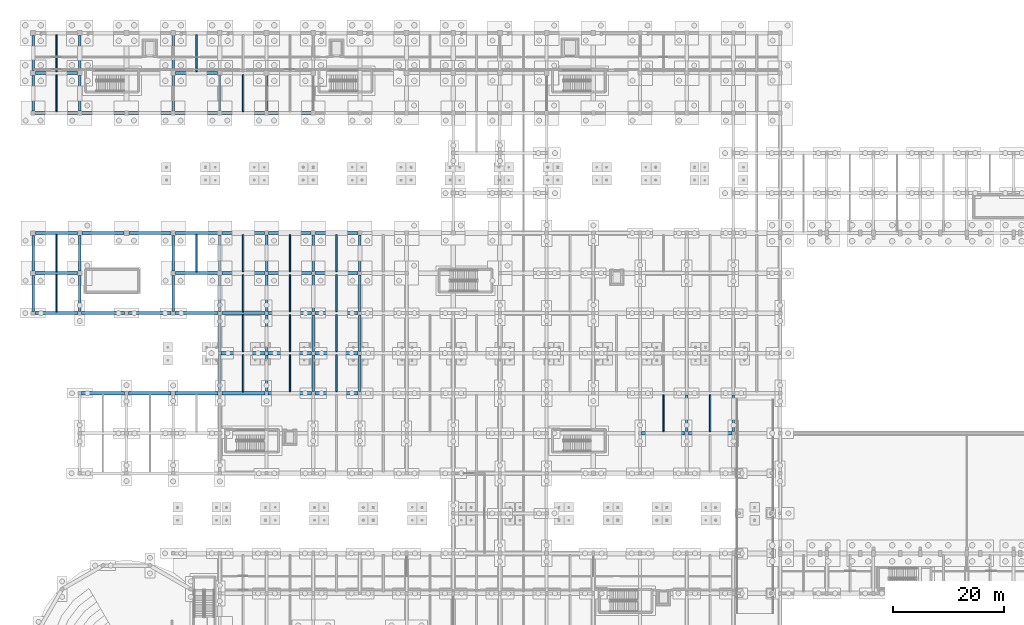
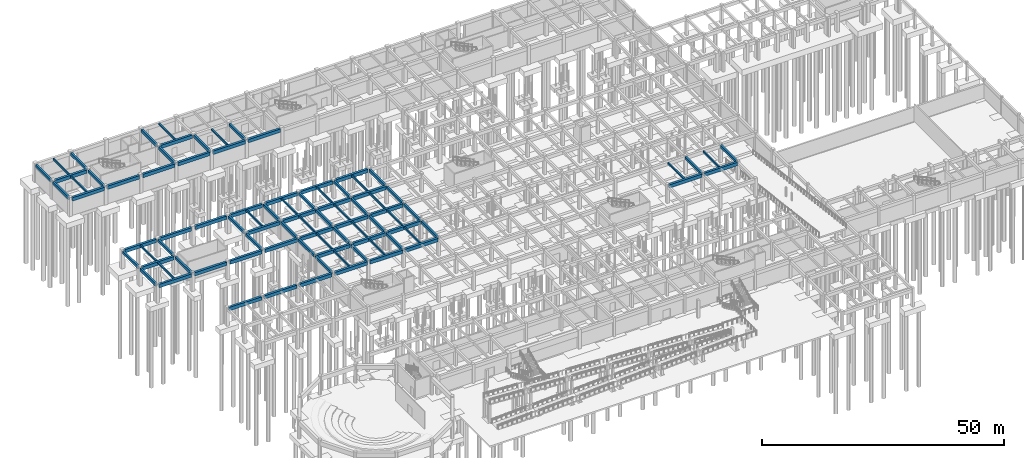
# One storey, part 53 of 80: 91 beams.
"""IFC4 building model written with IfcOpenShell, lengths in metres."""

from ifc_helpers import new_model, si_unit, direction, frame, origin, origin_2d, place, context, subcontext, project, spatial, rectangle, extrude, material, material_profile, profile_set, type_object, element, save


model = new_model("IFC4")

# Units and contexts
model_context = context("Model", 3, precision=1e-05, world=origin(), true_north=direction((0.0, 1.0)))
body_context = subcontext(model_context, "Body", "Model", "MODEL_VIEW")
ifc_project = project(units=[si_unit("LENGTHUNIT", "METRE"), si_unit("AREAUNIT", "SQUARE_METRE"), si_unit("VOLUMEUNIT", "CUBIC_METRE"), si_unit("PLANEANGLEUNIT", "RADIAN"), si_unit("MASSUNIT", "GRAM", prefix="KILO")], contexts=[model_context])

# Site, building, storey
site_placement = place(None, origin())
site = spatial("IfcSite", under=ifc_project, at=site_placement, CompositionType="ELEMENT")
building_placement = place(site_placement, origin())
building = spatial("IfcBuilding", under=site, at=building_placement, Name="Malvenik Polytechnic", CompositionType="ELEMENT")
storey_placement = place(building_placement, frame((0.0, 0.0, -4.800048828125)))
storey = spatial("IfcBuildingStorey", under=building, at=storey_placement, Name="B1", CompositionType="ELEMENT", Elevation=-4.800048828125)

# Beams
ifc_material_1 = material(Name="Concrete C35/45", Category="concrete")
ifc_material_profile_1 = material_profile(ifc_material_1, rectangle(XDim=0.550048828125, YDim=0.85009765625, at=origin_2d()), Name="RC BM 550x850")
ifc_profile_set_1 = profile_set([ifc_material_profile_1], Name="Concrete C35/45")
beam_type_1 = type_object("IfcBeamType", Name="STR-BM-B-01", PredefinedType="BEAM", material=ifc_profile_set_1)
for number, where, z_axis, x_axis, name in (
    (1, (109.498046875, 57.60009765625, 4.074951171875), (1.0, 0.0, 0.0), (0.0, 1.0, 0.0), "Primary Beam B-01 B1 #77"),
    (2, (117.89794921875, 57.60009765625, 4.074951171875), (1.0, 0.0, 0.0), (0.0, 1.0, 0.0), "Primary Beam B-01 B1 #78"),
):
    element("IfcBeam", number, at=place(storey_placement, frame(where, z_axis=z_axis, x_axis=x_axis)), inside=storey, type_object=beam_type_1, Name=name, PredefinedType="BEAM", context=body_context, shape_type="SweptSolid", body=[
        extrude(rectangle(XDim=0.550048828125, YDim=0.85009765625, at=origin_2d()), origin(), (0.0, 0.0, 1.0), 7.803955078125),
    ])
beam_1_placement = place(storey_placement, frame((8.748046875, 64.800048828125, 4.074951171875), z_axis=(1.0, 0.0, 0.0), x_axis=(0.0, 1.0, 0.0)))
element("IfcBeam", 3, at=beam_1_placement, inside=storey, type_object=beam_type_1, Name="Primary Beam B-01 B1 #79", PredefinedType="BEAM", context=body_context, shape_type="SweptSolid", body=[
    extrude(rectangle(XDim=0.550048828125, YDim=0.85009765625, at=origin_2d()), origin(), (0.0, 0.0, 1.0), 7.703857421875),
])
beam_2_placement = place(storey_placement, frame((17.14794921875, 64.800048828125, 4.074951171875), z_axis=(1.0, 0.0, 0.0), x_axis=(0.0, 1.0, 0.0)))
element("IfcBeam", 4, at=beam_2_placement, inside=storey, type_object=beam_type_1, Name="Primary Beam B-01 B1 #80", PredefinedType="BEAM", context=body_context, shape_type="SweptSolid", body=[
    extrude(rectangle(XDim=0.550048828125, YDim=0.85009765625, at=origin_2d()), origin(), (0.0, 0.0, 1.0), 7.7041015625),
])
beam_3_placement = place(storey_placement, frame((25.548095703125, 64.800048828125, 4.074951171875), z_axis=(1.0, 0.0, 0.0), x_axis=(0.0, 1.0, 0.0)))
element("IfcBeam", 5, at=beam_3_placement, inside=storey, type_object=beam_type_1, Name="Primary Beam B-01 B1 #81", PredefinedType="BEAM", context=body_context, shape_type="SweptSolid", body=[
    extrude(rectangle(XDim=0.550048828125, YDim=0.85009765625, at=origin_2d()), origin(), (0.0, 0.0, 1.0), 7.703857421875),
])
beam_4_placement = place(storey_placement, frame((33.947998046875, 64.800048828125, 4.074951171875), z_axis=(1.0, 0.0, 0.0), x_axis=(0.0, 1.0, 0.0)))
element("IfcBeam", 6, at=beam_4_placement, inside=storey, type_object=beam_type_1, Name="Primary Beam B-01 B1 #82", PredefinedType="BEAM", context=body_context, shape_type="SweptSolid", body=[
    extrude(rectangle(XDim=0.550048828125, YDim=0.85009765625, at=origin_2d()), origin(), (0.0, 0.0, 1.0), 7.75390625),
])
for number, where, z_axis, x_axis, name in (
    (7, (42.298095703125, 64.800048828125, 4.074951171875), (1.0, 0.0, 0.0), (0.0, 1.0, 0.0), "Primary Beam B-01 B1 #83"),
    (8, (50.697998046875, 64.800048828125, 4.074951171875), (1.0, 0.0, 0.0), (0.0, 1.0, 0.0), "Primary Beam B-01 B1 #84"),
):
    element("IfcBeam", number, at=place(storey_placement, frame(where, z_axis=z_axis, x_axis=x_axis)), inside=storey, type_object=beam_type_1, Name=name, PredefinedType="BEAM", context=body_context, shape_type="SweptSolid", body=[
        extrude(rectangle(XDim=0.550048828125, YDim=0.85009765625, at=origin_2d()), origin(), (0.0, 0.0, 1.0), 7.803955078125),
    ])
beam_5_placement = place(storey_placement, frame((33.822998046875, 72.0, 4.074951171875), z_axis=(1.0, 0.0, 0.0), x_axis=(0.0, 1.0, 0.0)))
element("IfcBeam", 9, at=beam_5_placement, inside=storey, type_object=beam_type_1, Name="Primary Beam B-01 B1 #94", PredefinedType="BEAM", context=body_context, shape_type="SweptSolid", body=[
    extrude(rectangle(XDim=0.550048828125, YDim=0.85009765625, at=origin_2d()), origin(), (0.0, 0.0, 1.0), 7.87890625),
])
for number, where, z_axis, x_axis, name in (
    (10, (42.298095703125, 72.0, 4.074951171875), (1.0, 0.0, 0.0), (0.0, 1.0, 0.0), "Primary Beam B-01 B1 #95"),
    (11, (50.697998046875, 72.0, 4.074951171875), (1.0, 0.0, 0.0), (0.0, 1.0, 0.0), "Primary Beam B-01 B1 #96"),
):
    element("IfcBeam", number, at=place(storey_placement, frame(where, z_axis=z_axis, x_axis=x_axis)), inside=storey, type_object=beam_type_1, Name=name, PredefinedType="BEAM", context=body_context, shape_type="SweptSolid", body=[
        extrude(rectangle(XDim=0.550048828125, YDim=0.85009765625, at=origin_2d()), origin(), (0.0, 0.0, 1.0), 7.803955078125),
    ])
beam_6_placement = place(storey_placement, frame((0.347900390625, 79.199951171875, 4.074951171875), z_axis=(1.0, 0.0, 0.0), x_axis=(0.0, 1.0, 0.0)))
element("IfcBeam", 12, at=beam_6_placement, inside=storey, type_object=beam_type_1, Name="Primary Beam B-01 B1 #106", PredefinedType="BEAM", context=body_context, shape_type="SweptSolid", body=[
    extrude(rectangle(XDim=0.550048828125, YDim=0.85009765625, at=origin_2d()), origin(), (0.0, 0.0, 1.0), 7.7041015625),
])
beam_7_placement = place(storey_placement, frame((8.748046875, 79.199951171875, 4.074951171875), z_axis=(1.0, 0.0, 0.0), x_axis=(0.0, 1.0, 0.0)))
element("IfcBeam", 13, at=beam_7_placement, inside=storey, type_object=beam_type_1, Name="Primary Beam B-01 B1 #107", PredefinedType="BEAM", context=body_context, shape_type="SweptSolid", body=[
    extrude(rectangle(XDim=0.550048828125, YDim=0.85009765625, at=origin_2d()), origin(), (0.0, 0.0, 1.0), 7.703857421875),
])
beam_8_placement = place(storey_placement, frame((17.14794921875, 79.199951171875, 4.074951171875), z_axis=(1.0, 0.0, 0.0), x_axis=(0.0, 1.0, 0.0)))
element("IfcBeam", 14, at=beam_8_placement, inside=storey, type_object=beam_type_1, Name="Primary Beam B-01 B1 #108", PredefinedType="BEAM", context=body_context, shape_type="SweptSolid", body=[
    extrude(rectangle(XDim=0.550048828125, YDim=0.85009765625, at=origin_2d()), origin(), (0.0, 0.0, 1.0), 7.7041015625),
])
beam_9_placement = place(storey_placement, frame((25.548095703125, 79.199951171875, 4.074951171875), z_axis=(1.0, 0.0, 0.0), x_axis=(0.0, 1.0, 0.0)))
element("IfcBeam", 15, at=beam_9_placement, inside=storey, type_object=beam_type_1, Name="Primary Beam B-01 B1 #109", PredefinedType="BEAM", context=body_context, shape_type="SweptSolid", body=[
    extrude(rectangle(XDim=0.550048828125, YDim=0.85009765625, at=origin_2d()), origin(), (0.0, 0.0, 1.0), 7.703857421875),
])
beam_10_placement = place(storey_placement, frame((33.947998046875, 79.199951171875, 4.074951171875), z_axis=(1.0, 0.0, 0.0), x_axis=(0.0, 1.0, 0.0)))
element("IfcBeam", 16, at=beam_10_placement, inside=storey, type_object=beam_type_1, Name="Primary Beam B-01 B1 #110", PredefinedType="BEAM", context=body_context, shape_type="SweptSolid", body=[
    extrude(rectangle(XDim=0.550048828125, YDim=0.85009765625, at=origin_2d()), origin(), (0.0, 0.0, 1.0), 7.75390625),
])
for number, where, z_axis, x_axis, name in (
    (17, (42.298095703125, 79.199951171875, 4.074951171875), (1.0, 0.0, 0.0), (0.0, 1.0, 0.0), "Primary Beam B-01 B1 #111"),
    (18, (50.697998046875, 79.199951171875, 4.074951171875), (1.0, 0.0, 0.0), (0.0, 1.0, 0.0), "Primary Beam B-01 B1 #112"),
):
    element("IfcBeam", number, at=place(storey_placement, frame(where, z_axis=z_axis, x_axis=x_axis)), inside=storey, type_object=beam_type_1, Name=name, PredefinedType="BEAM", context=body_context, shape_type="SweptSolid", body=[
        extrude(rectangle(XDim=0.550048828125, YDim=0.85009765625, at=origin_2d()), origin(), (0.0, 0.0, 1.0), 7.803955078125),
    ])
beam_11_placement = place(storey_placement, frame((0.423095703125, 86.39990234375, 4.074951171875), z_axis=(1.0, 0.0, 0.0), x_axis=(0.0, 1.0, 0.0)))
element("IfcBeam", 19, at=beam_11_placement, inside=storey, type_object=beam_type_1, Name="Primary Beam B-01 B1 #122", PredefinedType="BEAM", context=body_context, shape_type="SweptSolid", body=[
    extrude(rectangle(XDim=0.550048828125, YDim=0.85009765625, at=origin_2d()), origin(), (0.0, 0.0, 1.0), 7.553955078125),
])
beam_12_placement = place(storey_placement, frame((25.623046875, 86.39990234375, 4.074951171875), z_axis=(1.0, 0.0, 0.0), x_axis=(0.0, 1.0, 0.0)))
element("IfcBeam", 20, at=beam_12_placement, inside=storey, type_object=beam_type_1, Name="Primary Beam B-01 B1 #123", PredefinedType="BEAM", context=body_context, shape_type="SweptSolid", body=[
    extrude(rectangle(XDim=0.550048828125, YDim=0.85009765625, at=origin_2d()), origin(), (0.0, 0.0, 1.0), 7.60400390625),
])
beam_13_placement = place(storey_placement, frame((33.972900390625, 86.39990234375, 4.074951171875), z_axis=(1.0, 0.0, 0.0), x_axis=(0.0, 1.0, 0.0)))
element("IfcBeam", 21, at=beam_13_placement, inside=storey, type_object=beam_type_1, Name="Primary Beam B-01 B1 #124", PredefinedType="BEAM", context=body_context, shape_type="SweptSolid", body=[
    extrude(rectangle(XDim=0.550048828125, YDim=0.85009765625, at=origin_2d()), origin(), (0.0, 0.0, 1.0), 7.72900390625),
])
for number, where, z_axis, x_axis, name in (
    (22, (42.298095703125, 86.39990234375, 4.074951171875), (1.0, 0.0, 0.0), (0.0, 1.0, 0.0), "Primary Beam B-01 B1 #125"),
    (23, (50.697998046875, 86.39990234375, 4.074951171875), (1.0, 0.0, 0.0), (0.0, 1.0, 0.0), "Primary Beam B-01 B1 #126"),
):
    element("IfcBeam", number, at=place(storey_placement, frame(where, z_axis=z_axis, x_axis=x_axis)), inside=storey, type_object=beam_type_1, Name=name, PredefinedType="BEAM", context=body_context, shape_type="SweptSolid", body=[
        extrude(rectangle(XDim=0.550048828125, YDim=0.85009765625, at=origin_2d()), origin(), (0.0, 0.0, 1.0), 7.803955078125),
    ])
for number, where, z_axis, x_axis, name in (
    (24, (0.423095703125, 93.60009765625, 4.074951171875), (1.0, 0.0, 0.0), (0.0, 1.0, 0.0), "Primary Beam B-01 B1 #134"),
    (25, (8.822998046875, 93.60009765625, 4.074951171875), (1.0, 0.0, 0.0), (0.0, 1.0, 0.0), "Primary Beam B-01 B1 #135"),
):
    element("IfcBeam", number, at=place(storey_placement, frame(where, z_axis=z_axis, x_axis=x_axis)), inside=storey, type_object=beam_type_1, Name=name, PredefinedType="BEAM", context=body_context, shape_type="SweptSolid", body=[
        extrude(rectangle(XDim=0.550048828125, YDim=0.85009765625, at=origin_2d()), origin(), (0.0, 0.0, 1.0), 7.553955078125),
    ])
beam_14_placement = place(storey_placement, frame((17.222900390625, 93.60009765625, 4.074951171875), z_axis=(1.0, 0.0, 0.0), x_axis=(0.0, 1.0, 0.0)))
element("IfcBeam", 26, at=beam_14_placement, inside=storey, type_object=beam_type_1, Name="Primary Beam B-01 B1 #136", PredefinedType="BEAM", context=body_context, shape_type="SweptSolid", body=[
    extrude(rectangle(XDim=0.550048828125, YDim=0.85009765625, at=origin_2d()), origin(), (0.0, 0.0, 1.0), 7.55419921875),
])
beam_15_placement = place(storey_placement, frame((25.623046875, 93.60009765625, 4.074951171875), z_axis=(1.0, 0.0, 0.0), x_axis=(0.0, 1.0, 0.0)))
element("IfcBeam", 27, at=beam_15_placement, inside=storey, type_object=beam_type_1, Name="Primary Beam B-01 B1 #137", PredefinedType="BEAM", context=body_context, shape_type="SweptSolid", body=[
    extrude(rectangle(XDim=0.550048828125, YDim=0.85009765625, at=origin_2d()), origin(), (0.0, 0.0, 1.0), 7.60400390625),
])
for number, where, z_axis, x_axis, name in (
    (28, (33.972900390625, 93.60009765625, 4.074951171875), (1.0, 0.0, 0.0), (0.0, 1.0, 0.0), "Primary Beam B-01 B1 #138"),
    (29, (42.373046875, 93.60009765625, 4.074951171875), (1.0, 0.0, 0.0), (0.0, 1.0, 0.0), "Primary Beam B-01 B1 #139"),
    (30, (50.77294921875, 93.60009765625, 4.074951171875), (1.0, 0.0, 0.0), (0.0, 1.0, 0.0), "Primary Beam B-01 B1 #140"),
    (31, (0.373046875, 115.199951171875, 4.074951171875), (1.0, 0.0, 0.0), (0.0, 1.0, 0.0), "Primary Beam B-01 B1 #174"),
    (32, (8.77294921875, 115.199951171875, 4.074951171875), (1.0, 0.0, 0.0), (0.0, 1.0, 0.0), "Primary Beam B-01 B1 #175"),
):
    element("IfcBeam", number, at=place(storey_placement, frame(where, z_axis=z_axis, x_axis=x_axis)), inside=storey, type_object=beam_type_1, Name=name, PredefinedType="BEAM", context=body_context, shape_type="SweptSolid", body=[
        extrude(rectangle(XDim=0.550048828125, YDim=0.85009765625, at=origin_2d()), origin(), (0.0, 0.0, 1.0), 7.654052734375),
    ])
beam_16_placement = place(storey_placement, frame((17.173095703125, 115.199951171875, 4.074951171875), z_axis=(1.0, 0.0, 0.0), x_axis=(0.0, 1.0, 0.0)))
element("IfcBeam", 33, at=beam_16_placement, inside=storey, type_object=beam_type_1, Name="Primary Beam B-01 B1 #176", PredefinedType="BEAM", context=body_context, shape_type="SweptSolid", body=[
    extrude(rectangle(XDim=0.550048828125, YDim=0.85009765625, at=origin_2d()), origin(), (0.0, 0.0, 1.0), 7.65380859375),
])
for number, where, z_axis, x_axis, name in (
    (34, (25.572998046875, 115.199951171875, 4.074951171875), (1.0, 0.0, 0.0), (0.0, 1.0, 0.0), "Primary Beam B-01 B1 #177"),
    (35, (33.972900390625, 115.199951171875, 4.074951171875), (1.0, 0.0, 0.0), (0.0, 1.0, 0.0), "Primary Beam B-01 B1 #178"),
    (36, (42.373046875, 115.199951171875, 4.074951171875), (1.0, 0.0, 0.0), (0.0, 1.0, 0.0), "Primary Beam B-01 B1 #179"),
):
    element("IfcBeam", number, at=place(storey_placement, frame(where, z_axis=z_axis, x_axis=x_axis)), inside=storey, type_object=beam_type_1, Name=name, PredefinedType="BEAM", context=body_context, shape_type="SweptSolid", body=[
        extrude(rectangle(XDim=0.550048828125, YDim=0.85009765625, at=origin_2d()), origin(), (0.0, 0.0, 1.0), 7.654052734375),
    ])
for number, where, z_axis, x_axis, name in (
    (37, (0.423095703125, 122.39990234375, 4.074951171875), (1.0, 0.0, 0.0), (0.0, 1.0, 0.0), "Primary Beam B-01 B1 #190"),
    (38, (25.623046875, 122.39990234375, 4.074951171875), (1.0, 0.0, 0.0), (0.0, 1.0, 0.0), "Primary Beam B-01 B1 #191"),
):
    element("IfcBeam", number, at=place(storey_placement, frame(where, z_axis=z_axis, x_axis=x_axis)), inside=storey, type_object=beam_type_1, Name=name, PredefinedType="BEAM", context=body_context, shape_type="SweptSolid", body=[
        extrude(rectangle(XDim=0.550048828125, YDim=0.85009765625, at=origin_2d()), origin(), (0.0, 0.0, 1.0), 7.553955078125),
    ])
ifc_material_profile_2 = material_profile(ifc_material_1, rectangle(XDim=0.449951171875, YDim=0.699951171875, at=origin_2d()), Name="RC BM 450x700")
ifc_profile_set_2 = profile_set([ifc_material_profile_2], Name="Concrete C35/45")
beam_type_2 = type_object("IfcBeamType", Name="STR-BM-B-04", PredefinedType="BEAM", material=ifc_profile_set_2)
beam_17_placement = place(storey_placement, frame((0.0, 79.548095703125, 4.150146484375), z_axis=(0.0, 1.0, 0.0), x_axis=(-1.0, 0.0, 0.0)))
element("IfcBeam", 39, at=beam_17_placement, inside=storey, type_object=beam_type_2, Name="Transverse Beam B-04 B1 #216", PredefinedType="BEAM", context=body_context, shape_type="SweptSolid", body=[
    extrude(rectangle(XDim=0.449951171875, YDim=0.699951171875, at=origin_2d()), origin(), (0.0, 0.0, 1.0), 6.428955078125),
])
beam_18_placement = place(storey_placement, frame((0.0, 86.822998046875, 4.150146484375), z_axis=(0.0, 1.0, 0.0), x_axis=(-1.0, 0.0, 0.0)))
element("IfcBeam", 40, at=beam_18_placement, inside=storey, type_object=beam_type_2, Name="Transverse Beam B-04 B1 #217", PredefinedType="BEAM", context=body_context, shape_type="SweptSolid", body=[
    extrude(rectangle(XDim=0.449951171875, YDim=0.699951171875, at=origin_2d()), origin(), (0.0, 0.0, 1.0), 6.35400390625),
])
beam_19_placement = place(storey_placement, frame((0.0, 115.572998046875, 4.150146484375), z_axis=(0.0, 1.0, 0.0), x_axis=(-1.0, 0.0, 0.0)))
element("IfcBeam", 41, at=beam_19_placement, inside=storey, type_object=beam_type_2, Name="Transverse Beam B-04 B1 #218", PredefinedType="BEAM", context=body_context, shape_type="SweptSolid", body=[
    extrude(rectangle(XDim=0.449951171875, YDim=0.699951171875, at=origin_2d()), origin(), (0.0, 0.0, 1.0), 6.404052734375),
])
beam_20_placement = place(storey_placement, frame((0.0, 122.822998046875, 4.150146484375), z_axis=(0.0, 1.0, 0.0), x_axis=(-1.0, 0.0, 0.0)))
element("IfcBeam", 42, at=beam_20_placement, inside=storey, type_object=beam_type_2, Name="Transverse Beam B-04 B1 #219", PredefinedType="BEAM", context=body_context, shape_type="SweptSolid", body=[
    extrude(rectangle(XDim=0.449951171875, YDim=0.699951171875, at=origin_2d()), origin(), (0.0, 0.0, 1.0), 6.35400390625),
])
beam_21_placement = place(storey_placement, frame((8.39990234375, 79.548095703125, 4.150146484375), z_axis=(0.0, 1.0, 0.0), x_axis=(-1.0, 0.0, 0.0)))
element("IfcBeam", 43, at=beam_21_placement, inside=storey, type_object=beam_type_2, Name="Transverse Beam B-04 B1 #222", PredefinedType="BEAM", context=body_context, shape_type="SweptSolid", body=[
    extrude(rectangle(XDim=0.449951171875, YDim=0.699951171875, at=origin_2d()), origin(), (0.0, 0.0, 1.0), 6.428955078125),
])
beam_22_placement = place(storey_placement, frame((8.39990234375, 86.822998046875, 4.150146484375), z_axis=(0.0, 1.0, 0.0), x_axis=(-1.0, 0.0, 0.0)))
element("IfcBeam", 44, at=beam_22_placement, inside=storey, type_object=beam_type_2, Name="Transverse Beam B-04 B1 #223", PredefinedType="BEAM", context=body_context, shape_type="SweptSolid", body=[
    extrude(rectangle(XDim=0.449951171875, YDim=0.699951171875, at=origin_2d()), origin(), (0.0, 0.0, 1.0), 6.35400390625),
])
beam_23_placement = place(storey_placement, frame((8.39990234375, 115.572998046875, 4.150146484375), z_axis=(0.0, 1.0, 0.0), x_axis=(-1.0, 0.0, 0.0)))
element("IfcBeam", 45, at=beam_23_placement, inside=storey, type_object=beam_type_2, Name="Transverse Beam B-04 B1 #224", PredefinedType="BEAM", context=body_context, shape_type="SweptSolid", body=[
    extrude(rectangle(XDim=0.449951171875, YDim=0.699951171875, at=origin_2d()), origin(), (0.0, 0.0, 1.0), 6.404052734375),
])
beam_24_placement = place(storey_placement, frame((8.39990234375, 122.822998046875, 4.150146484375), z_axis=(0.0, 1.0, 0.0), x_axis=(-1.0, 0.0, 0.0)))
element("IfcBeam", 46, at=beam_24_placement, inside=storey, type_object=beam_type_2, Name="Transverse Beam B-04 B1 #225", PredefinedType="BEAM", context=body_context, shape_type="SweptSolid", body=[
    extrude(rectangle(XDim=0.449951171875, YDim=0.699951171875, at=origin_2d()), origin(), (0.0, 0.0, 1.0), 6.35400390625),
])
beam_25_placement = place(storey_placement, frame((25.199951171875, 79.548095703125, 4.150146484375), z_axis=(0.0, 1.0, 0.0), x_axis=(-1.0, 0.0, 0.0)))
element("IfcBeam", 47, at=beam_25_placement, inside=storey, type_object=beam_type_2, Name="Transverse Beam B-04 B1 #230", PredefinedType="BEAM", context=body_context, shape_type="SweptSolid", body=[
    extrude(rectangle(XDim=0.449951171875, YDim=0.699951171875, at=origin_2d()), origin(), (0.0, 0.0, 1.0), 6.428955078125),
])
beam_26_placement = place(storey_placement, frame((25.199951171875, 86.822998046875, 4.150146484375), z_axis=(0.0, 1.0, 0.0), x_axis=(-1.0, 0.0, 0.0)))
element("IfcBeam", 48, at=beam_26_placement, inside=storey, type_object=beam_type_2, Name="Transverse Beam B-04 B1 #231", PredefinedType="BEAM", context=body_context, shape_type="SweptSolid", body=[
    extrude(rectangle(XDim=0.449951171875, YDim=0.699951171875, at=origin_2d()), origin(), (0.0, 0.0, 1.0), 6.35400390625),
])
beam_27_placement = place(storey_placement, frame((25.199951171875, 115.572998046875, 4.150146484375), z_axis=(0.0, 1.0, 0.0), x_axis=(-1.0, 0.0, 0.0)))
element("IfcBeam", 49, at=beam_27_placement, inside=storey, type_object=beam_type_2, Name="Transverse Beam B-04 B1 #232", PredefinedType="BEAM", context=body_context, shape_type="SweptSolid", body=[
    extrude(rectangle(XDim=0.449951171875, YDim=0.699951171875, at=origin_2d()), origin(), (0.0, 0.0, 1.0), 6.404052734375),
])
beam_28_placement = place(storey_placement, frame((25.199951171875, 122.822998046875, 4.150146484375), z_axis=(0.0, 1.0, 0.0), x_axis=(-1.0, 0.0, 0.0)))
element("IfcBeam", 50, at=beam_28_placement, inside=storey, type_object=beam_type_2, Name="Transverse Beam B-04 B1 #233", PredefinedType="BEAM", context=body_context, shape_type="SweptSolid", body=[
    extrude(rectangle(XDim=0.449951171875, YDim=0.699951171875, at=origin_2d()), origin(), (0.0, 0.0, 1.0), 6.35400390625),
])
for number, where, z_axis, x_axis, name in (
    (51, (33.60009765625, 65.14794921875, 4.150146484375), (0.0, 1.0, 0.0), (-1.0, 0.0, 0.0), "Transverse Beam B-04 B1 #238"),
    (52, (33.60009765625, 72.222900390625, 4.150146484375), (0.0, 1.0, 0.0), (-1.0, 0.0, 0.0), "Transverse Beam B-04 B1 #239"),
):
    element("IfcBeam", number, at=place(storey_placement, frame(where, z_axis=z_axis, x_axis=x_axis)), inside=storey, type_object=beam_type_2, Name=name, PredefinedType="BEAM", context=body_context, shape_type="SweptSolid", body=[
        extrude(rectangle(XDim=0.449951171875, YDim=0.699951171875, at=origin_2d()), origin(), (0.0, 0.0, 1.0), 6.629150390625),
    ])
beam_29_placement = place(storey_placement, frame((33.60009765625, 79.548095703125, 4.150146484375), z_axis=(0.0, 1.0, 0.0), x_axis=(-1.0, 0.0, 0.0)))
element("IfcBeam", 53, at=beam_29_placement, inside=storey, type_object=beam_type_2, Name="Transverse Beam B-04 B1 #240", PredefinedType="BEAM", context=body_context, shape_type="SweptSolid", body=[
    extrude(rectangle(XDim=0.449951171875, YDim=0.699951171875, at=origin_2d()), origin(), (0.0, 0.0, 1.0), 6.47900390625),
])
beam_30_placement = place(storey_placement, frame((33.60009765625, 86.77294921875, 4.150146484375), z_axis=(0.0, 1.0, 0.0), x_axis=(-1.0, 0.0, 0.0)))
element("IfcBeam", 54, at=beam_30_placement, inside=storey, type_object=beam_type_2, Name="Transverse Beam B-04 B1 #241", PredefinedType="BEAM", context=body_context, shape_type="SweptSolid", body=[
    extrude(rectangle(XDim=0.449951171875, YDim=0.699951171875, at=origin_2d()), origin(), (0.0, 0.0, 1.0), 6.4541015625),
])
beam_31_placement = place(storey_placement, frame((33.60009765625, 115.572998046875, 4.150146484375), z_axis=(0.0, 1.0, 0.0), x_axis=(-1.0, 0.0, 0.0)))
element("IfcBeam", 55, at=beam_31_placement, inside=storey, type_object=beam_type_2, Name="Transverse Beam B-04 B1 #242", PredefinedType="BEAM", context=body_context, shape_type="SweptSolid", body=[
    extrude(rectangle(XDim=0.449951171875, YDim=0.699951171875, at=origin_2d()), origin(), (0.0, 0.0, 1.0), 6.404052734375),
])
for number, where, z_axis, x_axis, name in (
    (56, (42.0, 65.097900390625, 4.150146484375), (0.0, 1.0, 0.0), (-1.0, 0.0, 0.0), "Transverse Beam B-04 B1 #246"),
    (57, (42.0, 72.298095703125, 4.150146484375), (0.0, 1.0, 0.0), (-1.0, 0.0, 0.0), "Transverse Beam B-04 B1 #247"),
    (58, (42.0, 79.498046875, 4.150146484375), (0.0, 1.0, 0.0), (-1.0, 0.0, 0.0), "Transverse Beam B-04 B1 #248"),
):
    element("IfcBeam", number, at=place(storey_placement, frame(where, z_axis=z_axis, x_axis=x_axis)), inside=storey, type_object=beam_type_2, Name=name, PredefinedType="BEAM", context=body_context, shape_type="SweptSolid", body=[
        extrude(rectangle(XDim=0.449951171875, YDim=0.699951171875, at=origin_2d()), origin(), (0.0, 0.0, 1.0), 6.60400390625),
    ])
beam_32_placement = place(storey_placement, frame((42.0, 86.697998046875, 4.150146484375), z_axis=(0.0, 1.0, 0.0), x_axis=(-1.0, 0.0, 0.0)))
element("IfcBeam", 59, at=beam_32_placement, inside=storey, type_object=beam_type_2, Name="Transverse Beam B-04 B1 #249", PredefinedType="BEAM", context=body_context, shape_type="SweptSolid", body=[
    extrude(rectangle(XDim=0.449951171875, YDim=0.699951171875, at=origin_2d()), origin(), (0.0, 0.0, 1.0), 6.529052734375),
])
beam_33_placement = place(storey_placement, frame((42.0, 115.572998046875, 4.150146484375), z_axis=(0.0, 1.0, 0.0), x_axis=(-1.0, 0.0, 0.0)))
element("IfcBeam", 60, at=beam_33_placement, inside=storey, type_object=beam_type_2, Name="Transverse Beam B-04 B1 #250", PredefinedType="BEAM", context=body_context, shape_type="SweptSolid", body=[
    extrude(rectangle(XDim=0.449951171875, YDim=0.699951171875, at=origin_2d()), origin(), (0.0, 0.0, 1.0), 6.404052734375),
])
for number, where, z_axis, x_axis, name in (
    (61, (50.39990234375, 65.097900390625, 4.150146484375), (0.0, 1.0, 0.0), (-1.0, 0.0, 0.0), "Transverse Beam B-04 B1 #256"),
    (62, (50.39990234375, 72.298095703125, 4.150146484375), (0.0, 1.0, 0.0), (-1.0, 0.0, 0.0), "Transverse Beam B-04 B1 #257"),
    (63, (50.39990234375, 79.498046875, 4.150146484375), (0.0, 1.0, 0.0), (-1.0, 0.0, 0.0), "Transverse Beam B-04 B1 #258"),
):
    element("IfcBeam", number, at=place(storey_placement, frame(where, z_axis=z_axis, x_axis=x_axis)), inside=storey, type_object=beam_type_2, Name=name, PredefinedType="BEAM", context=body_context, shape_type="SweptSolid", body=[
        extrude(rectangle(XDim=0.449951171875, YDim=0.699951171875, at=origin_2d()), origin(), (0.0, 0.0, 1.0), 6.60400390625),
    ])
beam_34_placement = place(storey_placement, frame((50.39990234375, 86.697998046875, 4.150146484375), z_axis=(0.0, 1.0, 0.0), x_axis=(-1.0, 0.0, 0.0)))
element("IfcBeam", 64, at=beam_34_placement, inside=storey, type_object=beam_type_2, Name="Transverse Beam B-04 B1 #259", PredefinedType="BEAM", context=body_context, shape_type="SweptSolid", body=[
    extrude(rectangle(XDim=0.449951171875, YDim=0.699951171875, at=origin_2d()), origin(), (0.0, 0.0, 1.0), 6.529052734375),
])
for number, where, z_axis, x_axis, name in (
    (65, (58.800048828125, 65.097900390625, 4.150146484375), (0.0, 1.0, 0.0), (-1.0, 0.0, 0.0), "Transverse Beam B-04 B1 #265"),
    (66, (58.800048828125, 72.298095703125, 4.150146484375), (0.0, 1.0, 0.0), (-1.0, 0.0, 0.0), "Transverse Beam B-04 B1 #266"),
    (67, (58.800048828125, 79.498046875, 4.150146484375), (0.0, 1.0, 0.0), (-1.0, 0.0, 0.0), "Transverse Beam B-04 B1 #267"),
):
    element("IfcBeam", number, at=place(storey_placement, frame(where, z_axis=z_axis, x_axis=x_axis)), inside=storey, type_object=beam_type_2, Name=name, PredefinedType="BEAM", context=body_context, shape_type="SweptSolid", body=[
        extrude(rectangle(XDim=0.449951171875, YDim=0.699951171875, at=origin_2d()), origin(), (0.0, 0.0, 1.0), 6.60400390625),
    ])
beam_35_placement = place(storey_placement, frame((58.800048828125, 86.697998046875, 4.150146484375), z_axis=(0.0, 1.0, 0.0), x_axis=(-1.0, 0.0, 0.0)))
element("IfcBeam", 68, at=beam_35_placement, inside=storey, type_object=beam_type_2, Name="Transverse Beam B-04 B1 #268", PredefinedType="BEAM", context=body_context, shape_type="SweptSolid", body=[
    extrude(rectangle(XDim=0.449951171875, YDim=0.699951171875, at=origin_2d()), origin(), (0.0, 0.0, 1.0), 6.529052734375),
])
for number, where, z_axis, x_axis, name in (
    (69, (117.60009765625, 57.89794921875, 4.150146484375), (0.0, 1.0, 0.0), (-1.0, 0.0, 0.0), "Transverse Beam B-04 B1 #342"),
    (70, (126.0, 57.89794921875, 4.150146484375), (0.0, 1.0, 0.0), (-1.0, 0.0, 0.0), "Transverse Beam B-04 B1 #355"),
):
    element("IfcBeam", number, at=place(storey_placement, frame(where, z_axis=z_axis, x_axis=x_axis)), inside=storey, type_object=beam_type_2, Name=name, PredefinedType="BEAM", context=body_context, shape_type="SweptSolid", body=[
        extrude(rectangle(XDim=0.449951171875, YDim=0.699951171875, at=origin_2d()), origin(), (0.0, 0.0, 1.0), 6.60400390625),
    ])
ifc_material_2 = material(Name="Concrete C30/37", Category="concrete")
ifc_material_profile_3 = material_profile(ifc_material_2, rectangle(XDim=0.280029296875, YDim=0.47998046875, at=origin_2d()), Name="RC JST 280x480")
ifc_profile_set_3 = profile_set([ifc_material_profile_3], Name="Concrete C30/37")
beam_type_3 = type_object("IfcBeamType", Name="STR-BM-J-01", PredefinedType="JOIST", material=ifc_profile_set_3)
beam_36_placement = place(storey_placement, frame((4.199951171875, 79.472900390625, 4.260009765625), z_axis=(0.0, 1.0, 0.0), x_axis=(-1.0, 0.0, 0.0)))
element("IfcBeam", 71, at=beam_36_placement, inside=storey, type_object=beam_type_3, Name="Secondary Rib Joist J-01 B1 #407", PredefinedType="JOIST", context=body_context, shape_type="SweptSolid", body=[
    extrude(rectangle(XDim=0.280029296875, YDim=0.47998046875, at=origin_2d()), origin(), (0.0, 0.0, 1.0), 6.654052734375),
])
beam_37_placement = place(storey_placement, frame((4.199951171875, 86.673095703125, 4.260009765625), z_axis=(0.0, 1.0, 0.0), x_axis=(-1.0, 0.0, 0.0)))
element("IfcBeam", 72, at=beam_37_placement, inside=storey, type_object=beam_type_3, Name="Secondary Rib Joist J-01 B1 #408", PredefinedType="JOIST", context=body_context, shape_type="SweptSolid", body=[
    extrude(rectangle(XDim=0.280029296875, YDim=0.47998046875, at=origin_2d()), origin(), (0.0, 0.0, 1.0), 6.65380859375),
])
beam_38_placement = place(storey_placement, frame((4.199951171875, 115.472900390625, 4.260009765625), z_axis=(0.0, 1.0, 0.0), x_axis=(-1.0, 0.0, 0.0)))
element("IfcBeam", 73, at=beam_38_placement, inside=storey, type_object=beam_type_3, Name="Secondary Rib Joist J-01 B1 #409", PredefinedType="JOIST", context=body_context, shape_type="SweptSolid", body=[
    extrude(rectangle(XDim=0.280029296875, YDim=0.47998046875, at=origin_2d()), origin(), (0.0, 0.0, 1.0), 6.654052734375),
])
for number, where, z_axis, x_axis, name in (
    (74, (4.199951171875, 122.673095703125, 4.260009765625), (0.0, 1.0, 0.0), (-1.0, 0.0, 0.0), "Secondary Rib Joist J-01 B1 #410"),
    (75, (29.39990234375, 86.673095703125, 4.260009765625), (0.0, 1.0, 0.0), (-1.0, 0.0, 0.0), "Secondary Rib Joist J-01 B1 #416"),
    (76, (29.39990234375, 122.673095703125, 4.260009765625), (0.0, 1.0, 0.0), (-1.0, 0.0, 0.0), "Secondary Rib Joist J-01 B1 #417"),
):
    element("IfcBeam", number, at=place(storey_placement, frame(where, z_axis=z_axis, x_axis=x_axis)), inside=storey, type_object=beam_type_3, Name=name, PredefinedType="JOIST", context=body_context, shape_type="SweptSolid", body=[
        extrude(rectangle(XDim=0.280029296875, YDim=0.47998046875, at=origin_2d()), origin(), (0.0, 0.0, 1.0), 6.65380859375),
    ])
for number, where, z_axis, x_axis, name in (
    (77, (37.800048828125, 65.072998046875, 4.260009765625), (0.0, 1.0, 0.0), (-1.0, 0.0, 0.0), "Secondary Rib Joist J-01 B1 #420"),
    (78, (37.800048828125, 72.27294921875, 4.260009765625), (0.0, 1.0, 0.0), (-1.0, 0.0, 0.0), "Secondary Rib Joist J-01 B1 #421"),
    (79, (37.800048828125, 79.472900390625, 4.260009765625), (0.0, 1.0, 0.0), (-1.0, 0.0, 0.0), "Secondary Rib Joist J-01 B1 #422"),
):
    element("IfcBeam", number, at=place(storey_placement, frame(where, z_axis=z_axis, x_axis=x_axis)), inside=storey, type_object=beam_type_3, Name=name, PredefinedType="JOIST", context=body_context, shape_type="SweptSolid", body=[
        extrude(rectangle(XDim=0.280029296875, YDim=0.47998046875, at=origin_2d()), origin(), (0.0, 0.0, 1.0), 6.654052734375),
    ])
beam_39_placement = place(storey_placement, frame((37.800048828125, 86.673095703125, 4.260009765625), z_axis=(0.0, 1.0, 0.0), x_axis=(-1.0, 0.0, 0.0)))
element("IfcBeam", 80, at=beam_39_placement, inside=storey, type_object=beam_type_3, Name="Secondary Rib Joist J-01 B1 #423", PredefinedType="JOIST", context=body_context, shape_type="SweptSolid", body=[
    extrude(rectangle(XDim=0.280029296875, YDim=0.47998046875, at=origin_2d()), origin(), (0.0, 0.0, 1.0), 6.65380859375),
])
for number, where, z_axis, x_axis, name in (
    (81, (37.800048828125, 115.472900390625, 4.260009765625), (0.0, 1.0, 0.0), (-1.0, 0.0, 0.0), "Secondary Rib Joist J-01 B1 #424"),
    (82, (46.199951171875, 65.072998046875, 4.260009765625), (0.0, 1.0, 0.0), (-1.0, 0.0, 0.0), "Secondary Rib Joist J-01 B1 #428"),
    (83, (46.199951171875, 72.27294921875, 4.260009765625), (0.0, 1.0, 0.0), (-1.0, 0.0, 0.0), "Secondary Rib Joist J-01 B1 #429"),
    (84, (46.199951171875, 79.472900390625, 4.260009765625), (0.0, 1.0, 0.0), (-1.0, 0.0, 0.0), "Secondary Rib Joist J-01 B1 #430"),
):
    element("IfcBeam", number, at=place(storey_placement, frame(where, z_axis=z_axis, x_axis=x_axis)), inside=storey, type_object=beam_type_3, Name=name, PredefinedType="JOIST", context=body_context, shape_type="SweptSolid", body=[
        extrude(rectangle(XDim=0.280029296875, YDim=0.47998046875, at=origin_2d()), origin(), (0.0, 0.0, 1.0), 6.654052734375),
    ])
beam_40_placement = place(storey_placement, frame((46.199951171875, 86.673095703125, 4.260009765625), z_axis=(0.0, 1.0, 0.0), x_axis=(-1.0, 0.0, 0.0)))
element("IfcBeam", 85, at=beam_40_placement, inside=storey, type_object=beam_type_3, Name="Secondary Rib Joist J-01 B1 #431", PredefinedType="JOIST", context=body_context, shape_type="SweptSolid", body=[
    extrude(rectangle(XDim=0.280029296875, YDim=0.47998046875, at=origin_2d()), origin(), (0.0, 0.0, 1.0), 6.65380859375),
])
for number, where, z_axis, x_axis, name in (
    (86, (54.60009765625, 65.072998046875, 4.260009765625), (0.0, 1.0, 0.0), (-1.0, 0.0, 0.0), "Secondary Rib Joist J-01 B1 #437"),
    (87, (54.60009765625, 72.27294921875, 4.260009765625), (0.0, 1.0, 0.0), (-1.0, 0.0, 0.0), "Secondary Rib Joist J-01 B1 #438"),
    (88, (54.60009765625, 79.472900390625, 4.260009765625), (0.0, 1.0, 0.0), (-1.0, 0.0, 0.0), "Secondary Rib Joist J-01 B1 #439"),
):
    element("IfcBeam", number, at=place(storey_placement, frame(where, z_axis=z_axis, x_axis=x_axis)), inside=storey, type_object=beam_type_3, Name=name, PredefinedType="JOIST", context=body_context, shape_type="SweptSolid", body=[
        extrude(rectangle(XDim=0.280029296875, YDim=0.47998046875, at=origin_2d()), origin(), (0.0, 0.0, 1.0), 6.654052734375),
    ])
beam_41_placement = place(storey_placement, frame((54.60009765625, 86.673095703125, 4.260009765625), z_axis=(0.0, 1.0, 0.0), x_axis=(-1.0, 0.0, 0.0)))
element("IfcBeam", 89, at=beam_41_placement, inside=storey, type_object=beam_type_3, Name="Secondary Rib Joist J-01 B1 #440", PredefinedType="JOIST", context=body_context, shape_type="SweptSolid", body=[
    extrude(rectangle(XDim=0.280029296875, YDim=0.47998046875, at=origin_2d()), origin(), (0.0, 0.0, 1.0), 6.65380859375),
])
for number, where, z_axis, x_axis, name in (
    (90, (113.39990234375, 57.873046875, 4.260009765625), (0.0, 1.0, 0.0), (-1.0, 0.0, 0.0), "Secondary Rib Joist J-01 B1 #487"),
    (91, (121.800048828125, 57.873046875, 4.260009765625), (0.0, 1.0, 0.0), (-1.0, 0.0, 0.0), "Secondary Rib Joist J-01 B1 #497"),
):
    element("IfcBeam", number, at=place(storey_placement, frame(where, z_axis=z_axis, x_axis=x_axis)), inside=storey, type_object=beam_type_3, Name=name, PredefinedType="JOIST", context=body_context, shape_type="SweptSolid", body=[
        extrude(rectangle(XDim=0.280029296875, YDim=0.47998046875, at=origin_2d()), origin(), (0.0, 0.0, 1.0), 6.654052734375),
    ])

save(model, "model.ifc")
